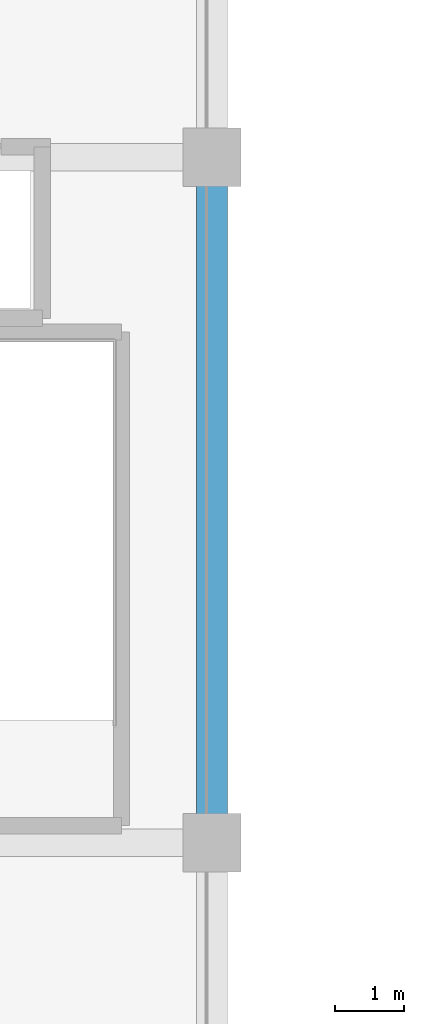
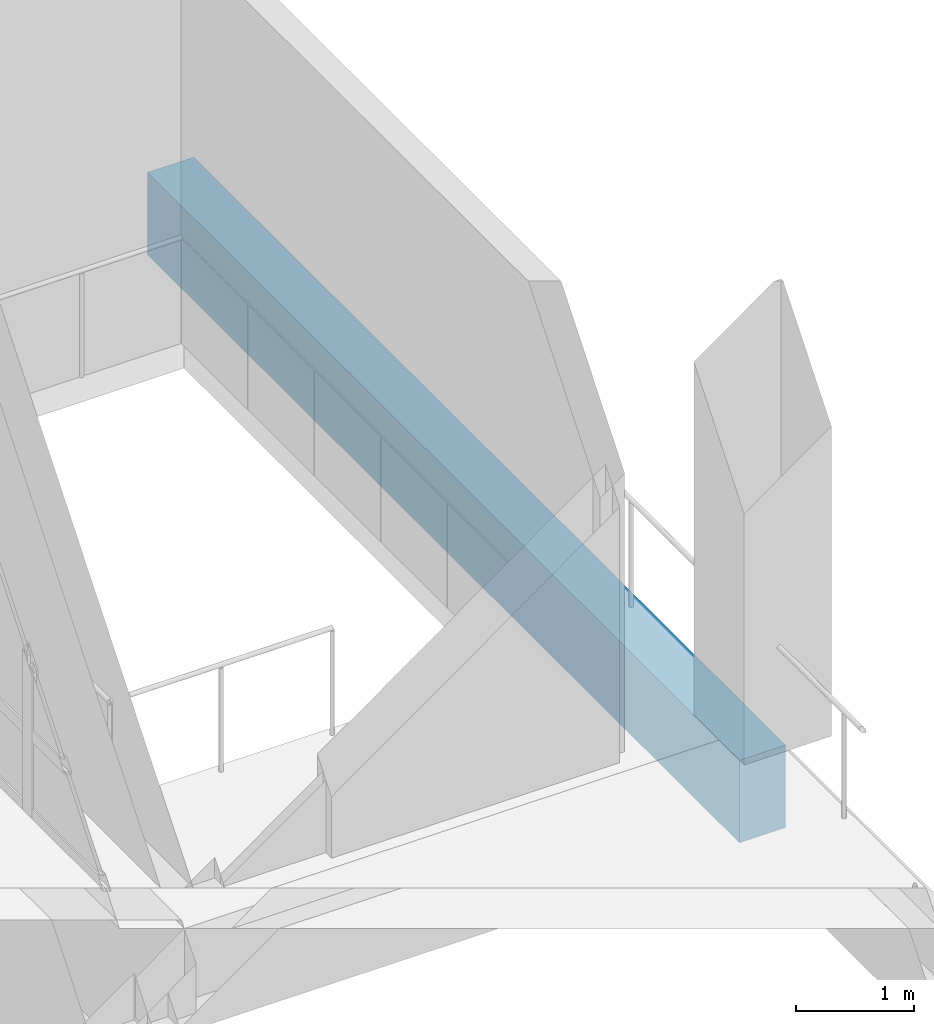
# One storey, part 99 of 161: 1 beam.
"""IFC4 building model written with IfcOpenShell, lengths in metres."""

from ifc_helpers import new_model, si_unit, direction, frame, origin, origin_2d, place, context, subcontext, project, spatial, rectangle, extrude, material, material_profile, profile_set, type_object, element, save


model = new_model("IFC4")

# Units and contexts
model_context = context("Model", 3, precision=1e-05, world=origin(), true_north=direction((0.0, 1.0)))
body_context = subcontext(model_context, "Body", "Model", "MODEL_VIEW")
ifc_project = project(units=[si_unit("LENGTHUNIT", "METRE"), si_unit("AREAUNIT", "SQUARE_METRE"), si_unit("VOLUMEUNIT", "CUBIC_METRE"), si_unit("PLANEANGLEUNIT", "RADIAN"), si_unit("MASSUNIT", "GRAM", prefix="KILO")], contexts=[model_context])

# Site, building, storey
site_placement = place(None, origin())
site = spatial("IfcSite", under=ifc_project, at=site_placement, CompositionType="ELEMENT")
building_placement = place(site_placement, origin())
building = spatial("IfcBuilding", under=site, at=building_placement, Name="Mersad Railyard Sports Hall", CompositionType="ELEMENT")
storey_placement = place(building_placement, frame((0.0, 0.0, 4.800048828125)))
storey = spatial("IfcBuildingStorey", under=building, at=storey_placement, Name="L01", CompositionType="ELEMENT", Elevation=4.800048828125)

# Beam
ifc_material = material(Name="Concrete C40/50", Category="concrete")
ifc_material_profile = material_profile(ifc_material, rectangle(XDim=0.449951171875, YDim=0.85009765625, at=origin_2d()), Name="RC 450x850")
ifc_profile_set = profile_set([ifc_material_profile], Name="Concrete C40/50")
beam_type = type_object("IfcBeamType", Name="STR-BM-B02", PredefinedType="BEAM", material=ifc_profile_set)
beam_placement = place(storey_placement, frame((137.0, 13.5, -0.705078125), z_axis=(0.0, 1.0, 0.0), x_axis=(-1.0, 0.0, 0.0)))
element("IfcBeam", 1, at=beam_placement, inside=storey, type_object=beam_type, Name="Beam B02-0636", PredefinedType="BEAM", context=body_context, shape_type="SweptSolid", body=[
    extrude(rectangle(XDim=0.449951171875, YDim=0.85009765625, at=origin_2d()), origin(), (0.0, 0.0, 1.0), 10.0),
])

save(model, "model.ifc")
